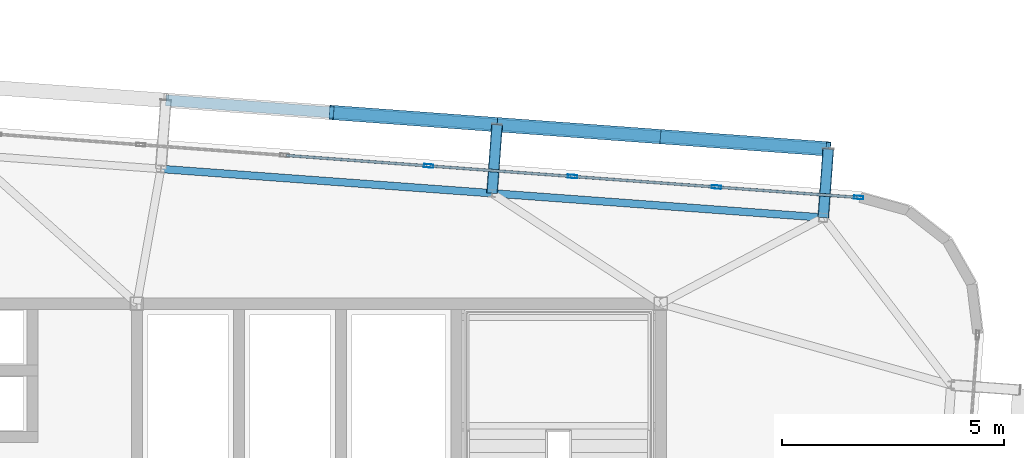
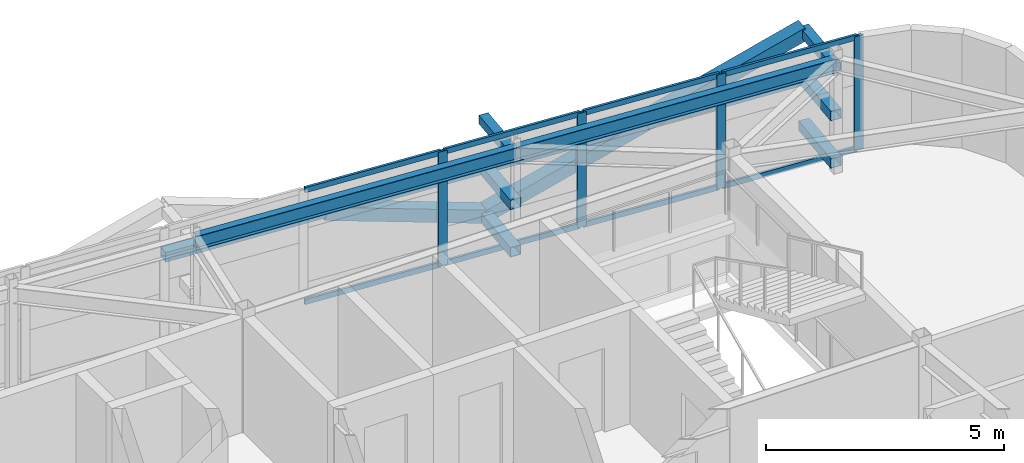
# One storey, part 28 of 42: 23 members, 2 beams, 1 element without a shape of its own.
"""IFC4 building model written with IfcOpenShell, lengths in metres."""

import ifcopenshell
import ifcopenshell.guid

model = None  # the IFC model being written
_history = None  # IfcOwnerHistory: only IFC2X3 demands one
_inside = {}  # id of a spatial element -> (the spatial element, [elements in it])
_under = {}  # id of a project, library or spatial element -> (it, [spatial elements below it])
_declared = {}  # id of a project -> (the project, [libraries it declares])
_typed = {}  # id of a type object -> (the type object, [elements of that type])
_made_of = {}  # id of a material, layer set ... -> (it, [elements and type objects made of it])


def new_model(schema):
    """Start an empty IFC model of exactly this schema.

    Asked for "IFC4X3", IfcOpenShell would pick the latest addendum, in which some entities
    have other attributes; the version numbers below select the first issue.
    IFC2X3 requires an IfcOwnerHistory on every rooted entity: one is made here for all.
    """
    global model, _history
    if schema == "IFC4X3":
        model = ifcopenshell.file(schema_version=(4, 3, 0, 0))
    else:
        model = ifcopenshell.file(schema=schema)
    _inside.clear()
    _under.clear()
    _declared.clear()
    _typed.clear()
    _made_of.clear()
    _history = None
    if model.schema == "IFC2X3":
        org = make("IfcOrganization", Name="unknown")
        user = make(
            "IfcPersonAndOrganization",
            ThePerson=make("IfcPerson", FamilyName="unknown"),
            TheOrganization=org,
        )
        app = make(
            "IfcApplication",
            ApplicationDeveloper=org,
            Version="unknown",
            ApplicationFullName="unknown",
            ApplicationIdentifier="unknown",
        )
        _history = make(
            "IfcOwnerHistory",
            OwningUser=user,
            OwningApplication=app,
            ChangeAction="ADDED",
            CreationDate=0,
        )
    return model


def make(cls, **values):
    """One entity of the class cls with the attributes given. An attribute that is None is left unset."""
    return model.create_entity(
        cls, **{name: value for name, value in values.items() if value is not None}
    )


def rooted(cls, **values):
    """An entity with a GlobalId (a new one), such as an element, a storey or a relation."""
    return make(cls, GlobalId=ifcopenshell.guid.new(), OwnerHistory=_history, **values)


def si_unit(unit_type, name, prefix=None):
    """IfcSIUnit, for example si_unit("LENGTHUNIT", "METRE", prefix="MILLI")."""
    return make("IfcSIUnit", UnitType=unit_type, Prefix=prefix, Name=name)


def assignment(units):
    """IfcUnitAssignment: the units of a project."""
    return None if units is None else make("IfcUnitAssignment", Units=units)


def point(xyz):
    """IfcCartesianPoint."""
    return None if xyz is None else make("IfcCartesianPoint", Coordinates=xyz)


def direction(xyz):
    """IfcDirection."""
    return None if xyz is None else make("IfcDirection", DirectionRatios=xyz)


def frame(location, z_axis=None, x_axis=None):
    """IfcAxis2Placement3D, a coordinate frame: its origin and axes. An axis left out is left unset."""
    return make(
        "IfcAxis2Placement3D",
        Location=point(location),
        Axis=direction(z_axis),
        RefDirection=direction(x_axis),
    )


def frame_2d(location, x_axis=None):
    """IfcAxis2Placement2D, a coordinate frame in the plane: its origin and x axis."""
    return make(
        "IfcAxis2Placement2D", Location=point(location), RefDirection=direction(x_axis)
    )


def origin():
    """The frame at (0, 0, 0) with its axes left unset."""
    return frame((0.0, 0.0, 0.0))


def origin_2d():
    """The frame at (0, 0) in the plane with its x axis left unset."""
    return frame_2d((0.0, 0.0))


def place(relative_to, where):
    """IfcLocalPlacement: puts the frame where relative to a parent placement (None: the world)."""
    return make(
        "IfcLocalPlacement", PlacementRelTo=relative_to, RelativePlacement=where
    )


def context(
    kind, dimensions, precision=None, world=None, true_north=None, identifier=None
):
    """IfcGeometricRepresentationContext, for example the 3D "Model" context."""
    return make(
        "IfcGeometricRepresentationContext",
        ContextIdentifier=identifier,
        ContextType=kind,
        CoordinateSpaceDimension=dimensions,
        Precision=precision,
        WorldCoordinateSystem=world,
        TrueNorth=true_north,
    )


def subcontext(parent, identifier, kind, view, scale=None):
    """IfcGeometricRepresentationSubContext, for example "Body" below "Model"."""
    return make(
        "IfcGeometricRepresentationSubContext",
        ContextIdentifier=identifier,
        ContextType=kind,
        ParentContext=parent,
        TargetScale=scale,
        TargetView=view,
    )


def project(units=None, contexts=None):
    """IfcProject with its units and contexts."""
    return rooted(
        "IfcProject",
        Name="project",
        RepresentationContexts=contexts,
        UnitsInContext=assignment(units),
    )


def spatial(cls, under=None, at=None, **own):
    """A site, building, storey or space (cls), placed at a placement, below another one or the project."""
    s = rooted(cls, ObjectPlacement=at, **own)
    if under is not None:
        _under.setdefault(under.id(), (under, []))[1].append(s)
    return s


def profile(cls, at=None, kind="AREA", **sizes):
    """A parametric profile (cls). Its sizes go by their IFC names, for example OverallWidth=200.0."""
    return make(cls, ProfileType=kind, Position=at, **sizes)


def hollow_rectangle(**sizes):
    """IfcRectangleHollowProfileDef."""
    return profile("IfcRectangleHollowProfileDef", **sizes)


def i_section(**sizes):
    """IfcIShapeProfileDef."""
    return profile("IfcIShapeProfileDef", **sizes)


def extrude(swept, where, along, depth):
    """IfcExtrudedAreaSolid: the profile swept, set in the frame where, extruded along a direction by depth."""
    return make(
        "IfcExtrudedAreaSolid",
        SweptArea=swept,
        Position=where,
        ExtrudedDirection=direction(along),
        Depth=depth,
    )


def shape(context_of_items, identifier, shape_type, items):
    """IfcShapeRepresentation: the items that make up one representation, for example the "Body"."""
    return make(
        "IfcShapeRepresentation",
        ContextOfItems=context_of_items,
        RepresentationIdentifier=identifier,
        RepresentationType=shape_type,
        Items=items,
    )


def source(mapping_origin, context_of_items, identifier, shape_type, items):
    """IfcRepresentationMap: a shape defined once, which mapped items show again and again."""
    return make(
        "IfcRepresentationMap",
        MappingOrigin=mapping_origin,
        MappedRepresentation=shape(context_of_items, identifier, shape_type, items),
    )


def transform(
    local_origin,
    x_axis=None,
    y_axis=None,
    z_axis=None,
    scale=None,
    scale2=None,
    scale3=None,
    uniform=True,
):
    """IfcCartesianTransformationOperator3D, or its non-uniform kind. x_axis, y_axis, z_axis: its Axis1, 2, 3."""
    if uniform:
        return make(
            "IfcCartesianTransformationOperator3D",
            Axis1=direction(x_axis),
            Axis2=direction(y_axis),
            LocalOrigin=point(local_origin),
            Scale=scale,
            Axis3=direction(z_axis),
        )
    return make(
        "IfcCartesianTransformationOperator3DnonUniform",
        Axis1=direction(x_axis),
        Axis2=direction(y_axis),
        LocalOrigin=point(local_origin),
        Scale=scale,
        Axis3=direction(z_axis),
        Scale2=scale2,
        Scale3=scale3,
    )


def mapped(mapping_source, mapping_target):
    """IfcMappedItem: shows the shape of a source again, moved by a transform."""
    return make(
        "IfcMappedItem", MappingSource=mapping_source, MappingTarget=mapping_target
    )


def material(Name=None, Category=None):
    """IfcMaterial."""
    return make("IfcMaterial", Name=Name, Category=Category)


def layer(
    of_material, thickness, ventilated=None, Name=None, Category=None, Priority=None
):
    """IfcMaterialLayer: one layer of a wall or slab, of a material (None: an air gap)."""
    return make(
        "IfcMaterialLayer",
        Material=of_material,
        LayerThickness=thickness,
        IsVentilated=ventilated,
        Name=Name,
        Category=Category,
        Priority=Priority,
    )


def layer_set(layers, Name=None):
    """IfcMaterialLayerSet."""
    return make("IfcMaterialLayerSet", MaterialLayers=layers, LayerSetName=Name)


def material_profile(
    of_material, cross_section, Name=None, Category=None, Priority=None
):
    """IfcMaterialProfile: a cross section and its material."""
    return make(
        "IfcMaterialProfile",
        Name=Name,
        Material=of_material,
        Profile=cross_section,
        Priority=Priority,
        Category=Category,
    )


def profile_set(profiles, Name=None, composite=None):
    """IfcMaterialProfileSet."""
    return make(
        "IfcMaterialProfileSet",
        Name=Name,
        MaterialProfiles=profiles,
        CompositeProfile=composite,
    )


def made_of(thing, what):
    """Note that an element or type object is made of a material, layer set ...; save() writes the relation."""
    if what is not None:
        _made_of.setdefault(what.id(), (what, []))[1].append(thing)
    return thing


def type_object(cls, material=None, **own):
    """A type object (cls), such as IfcWallType, which elements share."""
    return made_of(rooted(cls, **own), material)


def element(
    cls,
    number,
    at=None,
    inside=None,
    cuts=None,
    type_object=None,
    material=None,
    context=None,
    identifier="Body",
    shape_type=None,
    held_by="IfcProductDefinitionShape",
    body=None,
    shapes=None,
    **own,
):
    """One element of the class cls, such as IfcWall. Its Tag is "e" and its number.

    at: its placement. inside: the storey or other place that contains it. cuts: it is an
    opening in that element (IfcRelVoidsElement). A single representation is given by context,
    identifier, shape_type and body (its items); several are given by shapes. held_by: the class
    of the entity that holds the representations. save() writes the other relations.
    """
    e = rooted(cls, Tag="e%d" % number, ObjectPlacement=at, **own)
    if body is not None:
        shapes = [shape(context, identifier, shape_type, body)]
    if shapes is not None:
        e.Representation = make(held_by, Representations=shapes)
    if inside is not None:
        _inside.setdefault(inside.id(), (inside, []))[1].append(e)
    if cuts is not None:
        rooted(
            "IfcRelVoidsElement", RelatingBuildingElement=cuts, RelatedOpeningElement=e
        )
    if type_object is not None:
        _typed.setdefault(type_object.id(), (type_object, []))[1].append(e)
    return made_of(e, material)


def aggregate(whole, parts):
    """IfcRelAggregates: a whole, such as a stair, and the parts it consists of."""
    return rooted("IfcRelAggregates", RelatingObject=whole, RelatedObjects=parts)


def save(model, path):
    """Write the relations noted so far, then the file.

    IfcRelAggregates (storeys below a building ...), IfcRelContainedInSpatialStructure (elements
    in a storey), IfcRelDefinesByType, IfcRelAssociatesMaterial and IfcRelDeclares: one each for
    every whole, place, type object, material and project.
    """
    for whole, parts in _under.values():
        aggregate(whole, parts)
    for where, things in _inside.values():
        rooted(
            "IfcRelContainedInSpatialStructure",
            RelatedElements=things,
            RelatingStructure=where,
        )
    for kind, things in _typed.values():
        rooted("IfcRelDefinesByType", RelatedObjects=things, RelatingType=kind)
    for what, things in _made_of.values():
        rooted("IfcRelAssociatesMaterial", RelatedObjects=things, RelatingMaterial=what)
    for by, libraries in _declared.values():
        rooted("IfcRelDeclares", RelatingContext=by, RelatedDefinitions=libraries)
    model.write(path)


model = new_model("IFC4")

# Units and contexts
model_context = context("Model", 3, precision=1e-05, world=origin(), true_north=direction((0.0, 1.0)))
body_context = subcontext(model_context, "Body", "Model", "MODEL_VIEW")
ifc_project = project(units=[si_unit("LENGTHUNIT", "METRE"), si_unit("AREAUNIT", "SQUARE_METRE"), si_unit("VOLUMEUNIT", "CUBIC_METRE"), si_unit("PLANEANGLEUNIT", "RADIAN"), si_unit("MASSUNIT", "GRAM", prefix="KILO")], contexts=[model_context])

# Site, building, storey
site_placement = place(None, origin())
site = spatial("IfcSite", under=ifc_project, at=site_placement, CompositionType="ELEMENT")
building_placement = place(site_placement, origin())
building = spatial("IfcBuilding", under=site, at=building_placement, Name="Taldren Reach Tower", CompositionType="ELEMENT")
storey_placement = place(building_placement, frame((0.0, 0.0, 224.0)))
storey = spatial("IfcBuildingStorey", under=building, at=storey_placement, Name="L68", CompositionType="ELEMENT", Elevation=224.0)

# Members
ifc_material_1 = material(Name="Steel Gr 350 (C350L0)", Category="steel")
ifc_material_profile_1 = material_profile(ifc_material_1, hollow_rectangle(XDim=0.25, YDim=0.25, WallThickness=0.010009765625, at=origin_2d()), Name="250x250x10.0SHS")
ifc_profile_set_1 = profile_set([ifc_material_profile_1], Name="Steel Gr 350 (C350L0)")
member_type_1 = type_object("IfcMemberType", Name="MB-POST250", PredefinedType="POST", material=ifc_profile_set_1)
shared_shape_1 = source(origin(), body_context, "Body", "SweptSolid", [
    extrude(hollow_rectangle(XDim=0.25, YDim=0.25, WallThickness=0.010009765625, at=origin_2d()), origin(), (0.0, 0.0, 1.0), 1.550048828125),
])
for number, where, z_axis, x_axis, name in (
    (1, (47.199462890625, 34.487548828125, 0.219970703125), (0.07323929162, 0.997314396849, 0.0), (-0.997314396849, 0.07323929162, 0.0), "Exoskeleton base diaphragm tie strut B5-N5 L68"),
    (2, (54.659423828125, 33.939697265625, 0.219970703125), (0.07323929162, 0.997314396849, 0.0), (-0.997314396849, 0.07323929162, 0.0), "Exoskeleton base diaphragm tie strut B5-N6 L68"),
    (3, (47.199462890625, 34.487548828125, 1.43505859375), (0.07323929162, 0.997314396849, 0.0), (-0.997314396849, 0.07323929162, 0.0), "Exoskeleton mid-tier diaphragm tie B5-N5 L68"),
    (4, (54.659423828125, 33.939697265625, 1.43505859375), (0.07323929162, 0.997314396849, 0.0), (-0.997314396849, 0.07323929162, 0.0), "Exoskeleton mid-tier diaphragm tie B5-N6 L68"),
):
    element("IfcMember", number, at=place(storey_placement, frame(where, z_axis=z_axis, x_axis=x_axis)), inside=storey, type_object=member_type_1, Name=name, PredefinedType="POST", context=body_context, shape_type="MappedRepresentation", body=[
        mapped(shared_shape_1, transform((0.0, 0.0, 0.0), scale=1.0)),
    ])
ifc_material_2 = material(Name="Steel Gr 450 (C450L0)", Category="steel")
ifc_material_profile_2 = material_profile(ifc_material_2, hollow_rectangle(XDim=0.219970703125, YDim=0.219970703125, WallThickness=0.00830078125, at=origin_2d()), Name="220x220x8.2SHS")
ifc_profile_set_2 = profile_set([ifc_material_profile_2], Name="Steel Gr 450 (C450L0)")
member_type_2 = type_object("IfcMemberType", Name="MB-TIE219", PredefinedType="STRUT", material=ifc_profile_set_2)
shared_shape_2 = source(origin(), body_context, "Body", "SweptSolid", [
    extrude(hollow_rectangle(XDim=0.219970703125, YDim=0.219970703125, WallThickness=0.00830078125, at=origin_2d()), origin(), (0.0, 0.0, 1.0), 1.550048828125),
])
for number, where, z_axis, x_axis, name in (
    (5, (47.199462890625, 34.487548828125, 2.64990234375), (0.07323929162, 0.997314396849, 0.0), (-0.997314396849, 0.07323929162, 0.0), "Exoskeleton diaphragm tie strut B5-N5 L68"),
    (6, (54.659423828125, 33.939697265625, 2.64990234375), (0.07323929162, 0.997314396849, 0.0), (-0.997314396849, 0.07323929162, 0.0), "Exoskeleton diaphragm tie strut B5-N6 L68"),
):
    element("IfcMember", number, at=place(storey_placement, frame(where, z_axis=z_axis, x_axis=x_axis)), inside=storey, type_object=member_type_2, Name=name, PredefinedType="STRUT", context=body_context, shape_type="MappedRepresentation", body=[
        mapped(shared_shape_2, transform((0.0, 0.0, 0.0), scale=1.0)),
    ])

# Beams
ifc_material_3 = material(Name="Steel Gr 350 (350PLUS)", Category="steel")
ifc_material_profile_3 = material_profile(ifc_material_3, i_section(OverallWidth=0.172119140625, OverallDepth=0.35888671875, WebThickness=0.008056640625, FlangeThickness=0.012939453125, at=origin_2d()), Name="360UB56.7")
ifc_profile_set_3 = profile_set([ifc_material_profile_3], Name="Steel Gr 350 (350PLUS)")
beam_type = type_object("IfcBeamType", Name="SP-UB360", PredefinedType="SPANDREL", material=ifc_profile_set_3)
shared_shape_3 = source(origin(), body_context, "Body", "SweptSolid", [
    extrude(i_section(OverallWidth=0.172119140625, OverallDepth=0.35888671875, WebThickness=0.008056640625, FlangeThickness=0.012939453125, at=origin_2d()), origin(), (0.0, 0.0, 1.0), 7.47998046875),
])
for number, where, z_axis, x_axis, name in (
    (7, (54.659423828125, 33.939697265625, 2.75048828125), (-0.997314220642, 0.07324169103, 0.0), (-0.07324169103, -0.997314220642, 0.0), "Perimeter spandrel B5 N6-N5 L68"),
    (8, (47.199462890625, 34.487548828125, 2.75048828125), (-0.997314220642, 0.07324169103, 0.0), (-0.07324169103, -0.997314220642, 0.0), "Perimeter spandrel B5 N5-N4 L68"),
):
    element("IfcBeam", number, at=place(storey_placement, frame(where, z_axis=z_axis, x_axis=x_axis)), inside=storey, type_object=beam_type, Name=name, PredefinedType="SPANDREL", context=body_context, shape_type="MappedRepresentation", body=[
        mapped(shared_shape_3, transform((0.0, 0.0, 0.0), scale=1.0)),
    ])

# Members
ifc_material_profile_4 = material_profile(ifc_material_2, hollow_rectangle(XDim=0.324951171875, YDim=0.324951171875, WallThickness=0.0126953125, at=origin_2d()), Name="325x325x12.7SHS")
ifc_profile_set_4 = profile_set([ifc_material_profile_4], Name="Steel Gr 450 (C450L0)")
member_type_3 = type_object("IfcMemberType", Name="MB-BR324", PredefinedType="BRACE", material=ifc_profile_set_4)
shared_shape_4 = source(origin(), body_context, "Body", "SweptSolid", [
    extrude(hollow_rectangle(XDim=0.324951171875, YDim=0.324951171875, WallThickness=0.0126953125, at=origin_2d()), origin(), (0.0, 0.0, 1.0), 3.932373046875),
])
for number, where, z_axis, x_axis, name in (
    (9, (47.31298828125, 36.033447265625, 0.219970703125), (-0.948511132845, 0.069657644394, 0.308989390507), (-0.07324169103, -0.997314220642, 0.0), "Exoskeleton Diagrid Brace B5-N4 L68"),
    (10, (47.31298828125, 36.033447265625, 0.219970703125), (0.948511132845, -0.069657644394, 0.308989390507), (0.07324169103, 0.997314220642, 0.0), "Exoskeleton Diagrid Brace B5-N5 L68"),
    (11, (51.04296875, 35.759521484375, 1.43505859375), (0.948529326954, -0.06965898055, 0.308933232813), (0.07324169103, 0.997314220642, 0.0), "Exoskeleton Diagrid Brace B5-N5 L68"),
):
    element("IfcMember", number, at=place(storey_placement, frame(where, z_axis=z_axis, x_axis=x_axis)), inside=storey, type_object=member_type_3, Name=name, PredefinedType="BRACE", context=body_context, shape_type="MappedRepresentation", body=[
        mapped(shared_shape_4, transform((0.0, 0.0, 0.0), scale=1.0)),
    ])
shared_shape_5 = source(origin(), body_context, "Body", "SweptSolid", [
    extrude(hollow_rectangle(XDim=0.25, YDim=0.25, WallThickness=0.010009765625, at=origin_2d()), origin(), (0.0, 0.0, 1.0), 7.47998046875),
])
for number, where, z_axis, x_axis, name in (
    (12, (39.85302734375, 36.581298828125, 1.43505859375), (0.997314220642, -0.07324169103, 0.0), (0.07324169103, 0.997314220642, 0.0), "Exoskeleton mid-height ring chord B5-N4 L68"),
    (13, (47.31298828125, 36.033447265625, 1.43505859375), (0.997314220642, -0.07324169103, 0.0), (0.07324169103, 0.997314220642, 0.0), "Exoskeleton mid-height ring chord B5-N5 L68"),
):
    element("IfcMember", number, at=place(storey_placement, frame(where, z_axis=z_axis, x_axis=x_axis)), inside=storey, type_object=member_type_1, Name=name, PredefinedType="POST", context=body_context, shape_type="MappedRepresentation", body=[
        mapped(shared_shape_5, transform((0.0, 0.0, 0.0), scale=1.0)),
    ])

# Curtain wall, members
ifc_material_4 = material(Name="Aluminium and Low-E Glass Unitised System", Category="aluminium")
ifc_layer = layer(ifc_material_4, 0.159912109375)
ifc_layer_set = layer_set([ifc_layer], Name="Aluminium and Low-E Glass Unitised System")
curtain_wall_type = type_object("IfcCurtainWallType", Name="CW-SYS-6", PredefinedType="NOTDEFINED", material=ifc_layer_set)
curtain_wall_placement = place(storey_placement, origin())
curtain_wall = element("IfcCurtainWall", 14, at=curtain_wall_placement, inside=storey, type_object=curtain_wall_type, Name="Unitised curtain wall CW-L68-N", PredefinedType="NOTDEFINED")
ifc_material_5 = material(Name="Anodised Aluminium 6063-T6", Category="aluminium")
ifc_material_profile_5 = material_profile(ifc_material_5, hollow_rectangle(XDim=0.074951171875, YDim=0.2099609375, WallThickness=0.00439453125, at=origin_2d()), Name="ALU-210x75x4.5RHS")
ifc_profile_set_5 = profile_set([ifc_material_profile_5], Name="Anodised Aluminium 6063-T6")
member_type_4 = type_object("IfcMemberType", Name="CW-MUL-200", PredefinedType="MULLION", material=ifc_profile_set_5)
shared_shape_6 = source(origin(), body_context, "Body", "SweptSolid", [
    extrude(hollow_rectangle(XDim=0.074951171875, YDim=0.2099609375, WallThickness=0.00439453125, at=origin_2d()), origin(), (0.0, 0.0, 1.0), 2.929931640625),
])
member_1_placement = place(storey_placement, frame((55.45703125, 34.392578125, 0.0), z_axis=(0.0, 0.0, 1.0), x_axis=(-0.073238213716, -0.997314476006, 0.0)))
member_1 = element("IfcMember", 15, at=member_1_placement, type_object=member_type_4, Name="CW-6 mullion 1", PredefinedType="MULLION", context=body_context, shape_type="MappedRepresentation", body=[
    mapped(shared_shape_6, transform((0.0, 0.0, 0.0), scale=1.0)),
])
member_2_placement = place(storey_placement, frame((52.253173828125, 34.6279296875, 0.0), z_axis=(0.0, 0.0, 1.0), x_axis=(-0.073238213716, -0.997314476006, 0.0)))
member_2 = element("IfcMember", 16, at=member_2_placement, type_object=member_type_4, Name="CW-6 mullion 2", PredefinedType="MULLION", context=body_context, shape_type="MappedRepresentation", body=[
    mapped(shared_shape_6, transform((0.0, 0.0, 0.0), scale=1.0)),
])
member_3_placement = place(storey_placement, frame((49.011962890625, 34.865966796875, 0.0), z_axis=(0.0, 0.0, 1.0), x_axis=(-0.073238213716, -0.997314476006, 0.0)))
member_3 = element("IfcMember", 17, at=member_3_placement, type_object=member_type_4, Name="CW-6 mullion 3", PredefinedType="MULLION", context=body_context, shape_type="MappedRepresentation", body=[
    mapped(shared_shape_6, transform((0.0, 0.0, 0.0), scale=1.0)),
])
member_4_placement = place(storey_placement, frame((45.770751953125, 35.103759765625, 0.0), z_axis=(0.0, 0.0, 1.0), x_axis=(-0.073238213716, -0.997314476006, 0.0)))
member_4 = element("IfcMember", 18, at=member_4_placement, type_object=member_type_4, Name="CW-6 mullion 4", PredefinedType="MULLION", context=body_context, shape_type="MappedRepresentation", body=[
    mapped(shared_shape_6, transform((0.0, 0.0, 0.0), scale=1.0)),
])
ifc_material_profile_6 = material_profile(ifc_material_5, hollow_rectangle(XDim=0.06005859375, YDim=0.135009765625, WallThickness=0.00341796875, at=origin_2d()), Name="ALU-135x60x3.5RHS")
ifc_profile_set_6 = profile_set([ifc_material_profile_6], Name="Anodised Aluminium 6063-T6")
member_type_5 = type_object("IfcMemberType", Name="CW-TRN-150", PredefinedType="USERDEFINED", material=ifc_profile_set_6)
shared_shape_7 = source(origin(), body_context, "Body", "SweptSolid", [
    extrude(hollow_rectangle(XDim=0.06005859375, YDim=0.135009765625, WallThickness=0.00341796875, at=origin_2d()), origin(), (0.0, 0.0, 1.0), 3.13720703125),
])
member_5_placement = place(storey_placement, frame((55.419677734375, 34.395263671875, 0.030029296875), z_axis=(-0.997315319572, 0.073226725633, 0.0), x_axis=(-0.073226725633, -0.997315319572, 0.0)))
member_5 = element("IfcMember", 19, at=member_5_placement, type_object=member_type_5, Name="CW-6 transom 1.1", ObjectType="TRANSOM", PredefinedType="USERDEFINED", context=body_context, shape_type="MappedRepresentation", body=[
    mapped(shared_shape_7, transform((0.0, 0.0, 0.0), scale=1.0)),
])
member_6_placement = place(storey_placement, frame((55.419677734375, 34.395263671875, 2.89990234375), z_axis=(-0.997315319572, 0.073226725633, 0.0), x_axis=(-0.073226725633, -0.997315319572, 0.0)))
member_6 = element("IfcMember", 20, at=member_6_placement, type_object=member_type_5, Name="CW-6 transom 1.2", ObjectType="TRANSOM", PredefinedType="USERDEFINED", context=body_context, shape_type="MappedRepresentation", body=[
    mapped(shared_shape_7, transform((0.0, 0.0, 0.0), scale=1.0)),
])
shared_shape_8 = source(origin(), body_context, "Body", "SweptSolid", [
    extrude(hollow_rectangle(XDim=0.06005859375, YDim=0.135009765625, WallThickness=0.00341796875, at=origin_2d()), origin(), (0.0, 0.0, 1.0), 3.175048828125),
])
member_7_placement = place(storey_placement, frame((52.2158203125, 34.630615234375, 0.030029296875), z_axis=(-0.99731704481, 0.073203224877, 0.0), x_axis=(-0.073203224877, -0.99731704481, 0.0)))
member_7 = element("IfcMember", 21, at=member_7_placement, type_object=member_type_5, Name="CW-6 transom 2.1", ObjectType="TRANSOM", PredefinedType="USERDEFINED", context=body_context, shape_type="MappedRepresentation", body=[
    mapped(shared_shape_8, transform((0.0, 0.0, 0.0), scale=1.0)),
])
member_8_placement = place(storey_placement, frame((52.2158203125, 34.630615234375, 2.89990234375), z_axis=(-0.99731704481, 0.073203224877, 0.0), x_axis=(-0.073203224877, -0.99731704481, 0.0)))
member_8 = element("IfcMember", 22, at=member_8_placement, type_object=member_type_5, Name="CW-6 transom 2.2", ObjectType="TRANSOM", PredefinedType="USERDEFINED", context=body_context, shape_type="MappedRepresentation", body=[
    mapped(shared_shape_8, transform((0.0, 0.0, 0.0), scale=1.0)),
])
member_9_placement = place(storey_placement, frame((48.974609375, 34.86865234375, 0.030029296875), z_axis=(-0.99731704481, 0.073203224877, 0.0), x_axis=(-0.073203224877, -0.99731704481, 0.0)))
member_9 = element("IfcMember", 23, at=member_9_placement, type_object=member_type_5, Name="CW-6 transom 3.1", ObjectType="TRANSOM", PredefinedType="USERDEFINED", context=body_context, shape_type="MappedRepresentation", body=[
    mapped(shared_shape_8, transform((0.0, 0.0, 0.0), scale=1.0)),
])
member_10_placement = place(storey_placement, frame((48.974609375, 34.86865234375, 2.89990234375), z_axis=(-0.99731704481, 0.073203224877, 0.0), x_axis=(-0.073203224877, -0.99731704481, 0.0)))
member_10 = element("IfcMember", 24, at=member_10_placement, type_object=member_type_5, Name="CW-6 transom 3.2", ObjectType="TRANSOM", PredefinedType="USERDEFINED", context=body_context, shape_type="MappedRepresentation", body=[
    mapped(shared_shape_8, transform((0.0, 0.0, 0.0), scale=1.0)),
])
member_11_placement = place(storey_placement, frame((45.7333984375, 35.106689453125, 0.030029296875), z_axis=(-0.99731704481, 0.073203224877, 0.0), x_axis=(-0.073203224877, -0.99731704481, 0.0)))
member_11 = element("IfcMember", 25, at=member_11_placement, type_object=member_type_5, Name="CW-6 transom 4.1", ObjectType="TRANSOM", PredefinedType="USERDEFINED", context=body_context, shape_type="MappedRepresentation", body=[
    mapped(shared_shape_8, transform((0.0, 0.0, 0.0), scale=1.0)),
])
member_12_placement = place(storey_placement, frame((45.7333984375, 35.106689453125, 2.89990234375), z_axis=(-0.99731704481, 0.073203224877, 0.0), x_axis=(-0.073203224877, -0.99731704481, 0.0)))
member_12 = element("IfcMember", 26, at=member_12_placement, type_object=member_type_5, Name="CW-6 transom 4.2", ObjectType="TRANSOM", PredefinedType="USERDEFINED", context=body_context, shape_type="MappedRepresentation", body=[
    mapped(shared_shape_8, transform((0.0, 0.0, 0.0), scale=1.0)),
])
aggregate(curtain_wall, [member_1, member_2, member_3, member_4, member_5, member_6, member_7, member_8, member_9, member_10, member_11, member_12])

save(model, "model.ifc")
